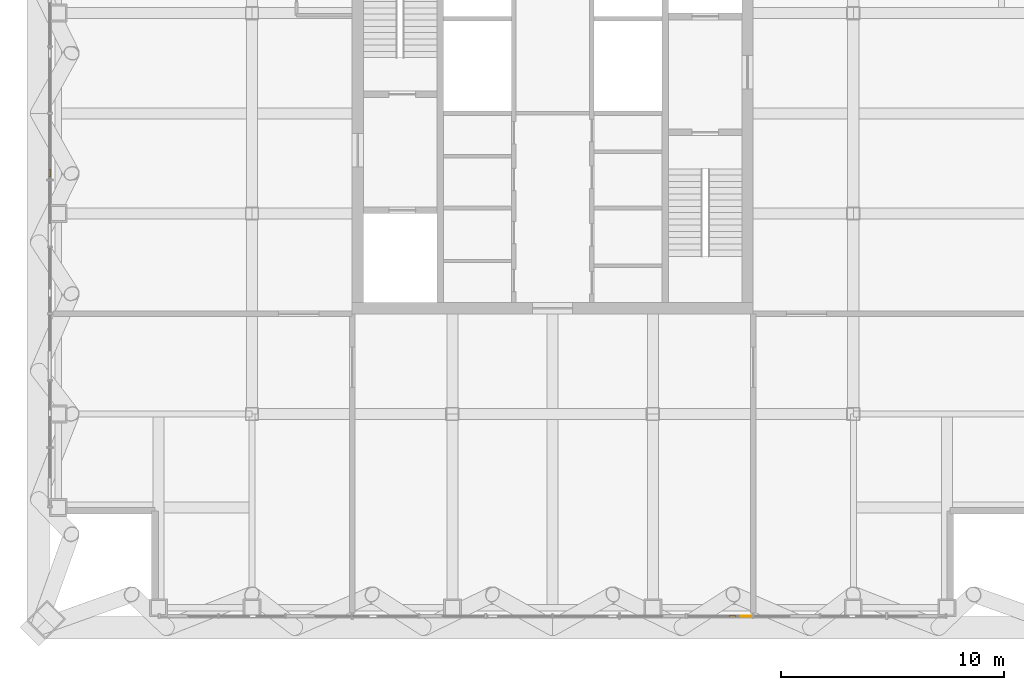
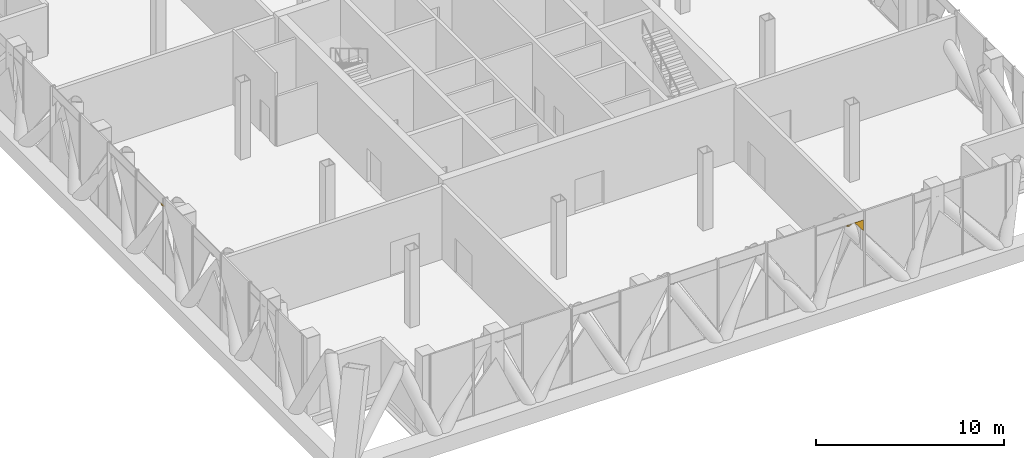
# One storey, part 21 of 27: 3 coverings.
"""IFC4 building model written with IfcOpenShell, lengths in metres."""

import ifcopenshell
import ifcopenshell.guid

model = None  # the IFC model being written
_history = None  # IfcOwnerHistory: only IFC2X3 demands one
_inside = {}  # id of a spatial element -> (the spatial element, [elements in it])
_under = {}  # id of a project, library or spatial element -> (it, [spatial elements below it])
_declared = {}  # id of a project -> (the project, [libraries it declares])
_typed = {}  # id of a type object -> (the type object, [elements of that type])
_made_of = {}  # id of a material, layer set ... -> (it, [elements and type objects made of it])


def new_model(schema):
    """Start an empty IFC model of exactly this schema.

    Asked for "IFC4X3", IfcOpenShell would pick the latest addendum, in which some entities
    have other attributes; the version numbers below select the first issue.
    IFC2X3 requires an IfcOwnerHistory on every rooted entity: one is made here for all.
    """
    global model, _history
    if schema == "IFC4X3":
        model = ifcopenshell.file(schema_version=(4, 3, 0, 0))
    else:
        model = ifcopenshell.file(schema=schema)
    _inside.clear()
    _under.clear()
    _declared.clear()
    _typed.clear()
    _made_of.clear()
    _history = None
    if model.schema == "IFC2X3":
        org = make("IfcOrganization", Name="unknown")
        user = make(
            "IfcPersonAndOrganization",
            ThePerson=make("IfcPerson", FamilyName="unknown"),
            TheOrganization=org,
        )
        app = make(
            "IfcApplication",
            ApplicationDeveloper=org,
            Version="unknown",
            ApplicationFullName="unknown",
            ApplicationIdentifier="unknown",
        )
        _history = make(
            "IfcOwnerHistory",
            OwningUser=user,
            OwningApplication=app,
            ChangeAction="ADDED",
            CreationDate=0,
        )
    return model


def make(cls, **values):
    """One entity of the class cls with the attributes given. An attribute that is None is left unset."""
    return model.create_entity(
        cls, **{name: value for name, value in values.items() if value is not None}
    )


def rooted(cls, **values):
    """An entity with a GlobalId (a new one), such as an element, a storey or a relation."""
    return make(cls, GlobalId=ifcopenshell.guid.new(), OwnerHistory=_history, **values)


def si_unit(unit_type, name, prefix=None):
    """IfcSIUnit, for example si_unit("LENGTHUNIT", "METRE", prefix="MILLI")."""
    return make("IfcSIUnit", UnitType=unit_type, Prefix=prefix, Name=name)


def assignment(units):
    """IfcUnitAssignment: the units of a project."""
    return None if units is None else make("IfcUnitAssignment", Units=units)


def point(xyz):
    """IfcCartesianPoint."""
    return None if xyz is None else make("IfcCartesianPoint", Coordinates=xyz)


def direction(xyz):
    """IfcDirection."""
    return None if xyz is None else make("IfcDirection", DirectionRatios=xyz)


def frame(location, z_axis=None, x_axis=None):
    """IfcAxis2Placement3D, a coordinate frame: its origin and axes. An axis left out is left unset."""
    return make(
        "IfcAxis2Placement3D",
        Location=point(location),
        Axis=direction(z_axis),
        RefDirection=direction(x_axis),
    )


def origin():
    """The frame at (0, 0, 0) with its axes left unset."""
    return frame((0.0, 0.0, 0.0))


def place(relative_to, where):
    """IfcLocalPlacement: puts the frame where relative to a parent placement (None: the world)."""
    return make(
        "IfcLocalPlacement", PlacementRelTo=relative_to, RelativePlacement=where
    )


def context(
    kind, dimensions, precision=None, world=None, true_north=None, identifier=None
):
    """IfcGeometricRepresentationContext, for example the 3D "Model" context."""
    return make(
        "IfcGeometricRepresentationContext",
        ContextIdentifier=identifier,
        ContextType=kind,
        CoordinateSpaceDimension=dimensions,
        Precision=precision,
        WorldCoordinateSystem=world,
        TrueNorth=true_north,
    )


def subcontext(parent, identifier, kind, view, scale=None):
    """IfcGeometricRepresentationSubContext, for example "Body" below "Model"."""
    return make(
        "IfcGeometricRepresentationSubContext",
        ContextIdentifier=identifier,
        ContextType=kind,
        ParentContext=parent,
        TargetScale=scale,
        TargetView=view,
    )


def project(units=None, contexts=None):
    """IfcProject with its units and contexts."""
    return rooted(
        "IfcProject",
        Name="project",
        RepresentationContexts=contexts,
        UnitsInContext=assignment(units),
    )


def spatial(cls, under=None, at=None, **own):
    """A site, building, storey or space (cls), placed at a placement, below another one or the project."""
    s = rooted(cls, ObjectPlacement=at, **own)
    if under is not None:
        _under.setdefault(under.id(), (under, []))[1].append(s)
    return s


def polyline(points):
    """IfcPolyline through the points."""
    return make("IfcPolyline", Points=[point(p) for p in points])


def outline(outer, holes=None, kind="AREA"):
    """IfcArbitraryClosedProfileDef: a profile drawn as a closed curve; with holes, ...WithVoids."""
    if holes is None:
        return make("IfcArbitraryClosedProfileDef", ProfileType=kind, OuterCurve=outer)
    return make(
        "IfcArbitraryProfileDefWithVoids",
        ProfileType=kind,
        OuterCurve=outer,
        InnerCurves=holes,
    )


def extrude(swept, where, along, depth):
    """IfcExtrudedAreaSolid: the profile swept, set in the frame where, extruded along a direction by depth."""
    return make(
        "IfcExtrudedAreaSolid",
        SweptArea=swept,
        Position=where,
        ExtrudedDirection=direction(along),
        Depth=depth,
    )


def shape(context_of_items, identifier, shape_type, items):
    """IfcShapeRepresentation: the items that make up one representation, for example the "Body"."""
    return make(
        "IfcShapeRepresentation",
        ContextOfItems=context_of_items,
        RepresentationIdentifier=identifier,
        RepresentationType=shape_type,
        Items=items,
    )


def material(Name=None, Category=None):
    """IfcMaterial."""
    return make("IfcMaterial", Name=Name, Category=Category)


def layer(
    of_material, thickness, ventilated=None, Name=None, Category=None, Priority=None
):
    """IfcMaterialLayer: one layer of a wall or slab, of a material (None: an air gap)."""
    return make(
        "IfcMaterialLayer",
        Material=of_material,
        LayerThickness=thickness,
        IsVentilated=ventilated,
        Name=Name,
        Category=Category,
        Priority=Priority,
    )


def layer_set(layers, Name=None):
    """IfcMaterialLayerSet."""
    return make("IfcMaterialLayerSet", MaterialLayers=layers, LayerSetName=Name)


def made_of(thing, what):
    """Note that an element or type object is made of a material, layer set ...; save() writes the relation."""
    if what is not None:
        _made_of.setdefault(what.id(), (what, []))[1].append(thing)
    return thing


def type_object(cls, material=None, **own):
    """A type object (cls), such as IfcWallType, which elements share."""
    return made_of(rooted(cls, **own), material)


def element(
    cls,
    number,
    at=None,
    inside=None,
    cuts=None,
    type_object=None,
    material=None,
    context=None,
    identifier="Body",
    shape_type=None,
    held_by="IfcProductDefinitionShape",
    body=None,
    shapes=None,
    **own,
):
    """One element of the class cls, such as IfcWall. Its Tag is "e" and its number.

    at: its placement. inside: the storey or other place that contains it. cuts: it is an
    opening in that element (IfcRelVoidsElement). A single representation is given by context,
    identifier, shape_type and body (its items); several are given by shapes. held_by: the class
    of the entity that holds the representations. save() writes the other relations.
    """
    e = rooted(cls, Tag="e%d" % number, ObjectPlacement=at, **own)
    if body is not None:
        shapes = [shape(context, identifier, shape_type, body)]
    if shapes is not None:
        e.Representation = make(held_by, Representations=shapes)
    if inside is not None:
        _inside.setdefault(inside.id(), (inside, []))[1].append(e)
    if cuts is not None:
        rooted(
            "IfcRelVoidsElement", RelatingBuildingElement=cuts, RelatedOpeningElement=e
        )
    if type_object is not None:
        _typed.setdefault(type_object.id(), (type_object, []))[1].append(e)
    return made_of(e, material)


def aggregate(whole, parts):
    """IfcRelAggregates: a whole, such as a stair, and the parts it consists of."""
    return rooted("IfcRelAggregates", RelatingObject=whole, RelatedObjects=parts)


def save(model, path):
    """Write the relations noted so far, then the file.

    IfcRelAggregates (storeys below a building ...), IfcRelContainedInSpatialStructure (elements
    in a storey), IfcRelDefinesByType, IfcRelAssociatesMaterial and IfcRelDeclares: one each for
    every whole, place, type object, material and project.
    """
    for whole, parts in _under.values():
        aggregate(whole, parts)
    for where, things in _inside.values():
        rooted(
            "IfcRelContainedInSpatialStructure",
            RelatedElements=things,
            RelatingStructure=where,
        )
    for kind, things in _typed.values():
        rooted("IfcRelDefinesByType", RelatedObjects=things, RelatingType=kind)
    for what, things in _made_of.values():
        rooted("IfcRelAssociatesMaterial", RelatedObjects=things, RelatingMaterial=what)
    for by, libraries in _declared.values():
        rooted("IfcRelDeclares", RelatingContext=by, RelatedDefinitions=libraries)
    model.write(path)


model = new_model("IFC4")

# Units and contexts
model_context = context("Model", 3, precision=1e-05, world=origin(), true_north=direction((0.0, 1.0)))
body_context = subcontext(model_context, "Body", "Model", "MODEL_VIEW")
ifc_project = project(units=[si_unit("LENGTHUNIT", "METRE"), si_unit("AREAUNIT", "SQUARE_METRE"), si_unit("VOLUMEUNIT", "CUBIC_METRE"), si_unit("PLANEANGLEUNIT", "RADIAN"), si_unit("MASSUNIT", "GRAM", prefix="KILO")], contexts=[model_context])

# Site, building, storey
site_placement = place(None, origin())
site = spatial("IfcSite", under=ifc_project, at=site_placement, CompositionType="ELEMENT")
building_placement = place(site_placement, origin())
building = spatial("IfcBuilding", under=site, at=building_placement, Name="Malebo Sky Hospital", CompositionType="ELEMENT")
storey_placement = place(building_placement, frame((0.0, 0.0, 245.0)))
storey = spatial("IfcBuildingStorey", under=building, at=storey_placement, Name="L59", CompositionType="ELEMENT", Elevation=245.0)

# Coverings
ifc_material = material(Name="Anodised aluminium, natural silver insulated infill panel", Category="aluminium")
ifc_layer = layer(ifc_material, 0.0400390625)
ifc_layer_set = layer_set([ifc_layer], Name="BRACE INFILL PANEL 40")
covering_type = type_object("IfcCoveringType", Name="BRACE INFILL PANEL 40", PredefinedType="CLADDING", material=ifc_layer_set)
covering_1_placement = place(storey_placement, frame((37.425048828125, 59.311279296875, 4.29248046875), z_axis=(0.0, 0.0, 1.0), x_axis=(0.0, 1.0, 0.0)))
element("IfcCovering", 1, at=covering_1_placement, inside=storey, type_object=covering_type, Name="Brace infill panel 6.3", PredefinedType="CLADDING", context=body_context, shape_type="SweptSolid", body=[
    extrude(outline(polyline([(-0.009521484375, 0.0), (0.168701171875, 0.082763671875), (-0.168701171875, 0.082763671875), (-0.009521484375, 0.0)])), frame((0.0, 0.02001953125, 0.0), z_axis=(0.0, -1.0, 0.0), x_axis=(1.0, 0.0, 0.0)), (0.0, 0.0, 1.0), 0.0400390625),
])
covering_2_placement = place(storey_placement, frame((68.692626953125, 39.425048828125, 3.68994140625), z_axis=(0.0, 0.0, 1.0), x_axis=(-1.0, 0.0, 0.0)))
element("IfcCovering", 2, at=covering_2_placement, inside=storey, type_object=covering_type, Name="Brace infill panel 4.2", PredefinedType="CLADDING", context=body_context, shape_type="SweptSolid", body=[
    extrude(outline(polyline([(-0.27001953125, 0.0), (0.27001953125, 0.7119140625), (-0.27001953125, 0.7119140625), (-0.27001953125, 0.0)])), frame((0.0, 0.02001953125, 0.0), z_axis=(0.0, -1.0, 0.0), x_axis=(1.0, 0.0, 0.0)), (0.0, 0.0, 1.0), 0.0400390625),
])
covering_3_placement = place(storey_placement, frame((68.071533203125, 39.425048828125, 4.2919921875), z_axis=(0.0, 0.0, 1.0), x_axis=(-1.0, 0.0, 0.0)))
element("IfcCovering", 3, at=covering_3_placement, inside=storey, type_object=covering_type, Name="Brace infill panel 4.4", PredefinedType="CLADDING", context=body_context, shape_type="SweptSolid", body=[
    extrude(outline(polyline([(-0.0234375, 0.0), (0.141845703125, 0.068115234375), (-0.141845703125, 0.068115234375), (-0.0234375, 0.0)])), frame((0.0, 0.02001953125, 0.0), z_axis=(0.0, -1.0, 0.0), x_axis=(1.0, 0.0, 0.0)), (0.0, 0.0, 1.0), 0.0400390625),
])

save(model, "model.ifc")
